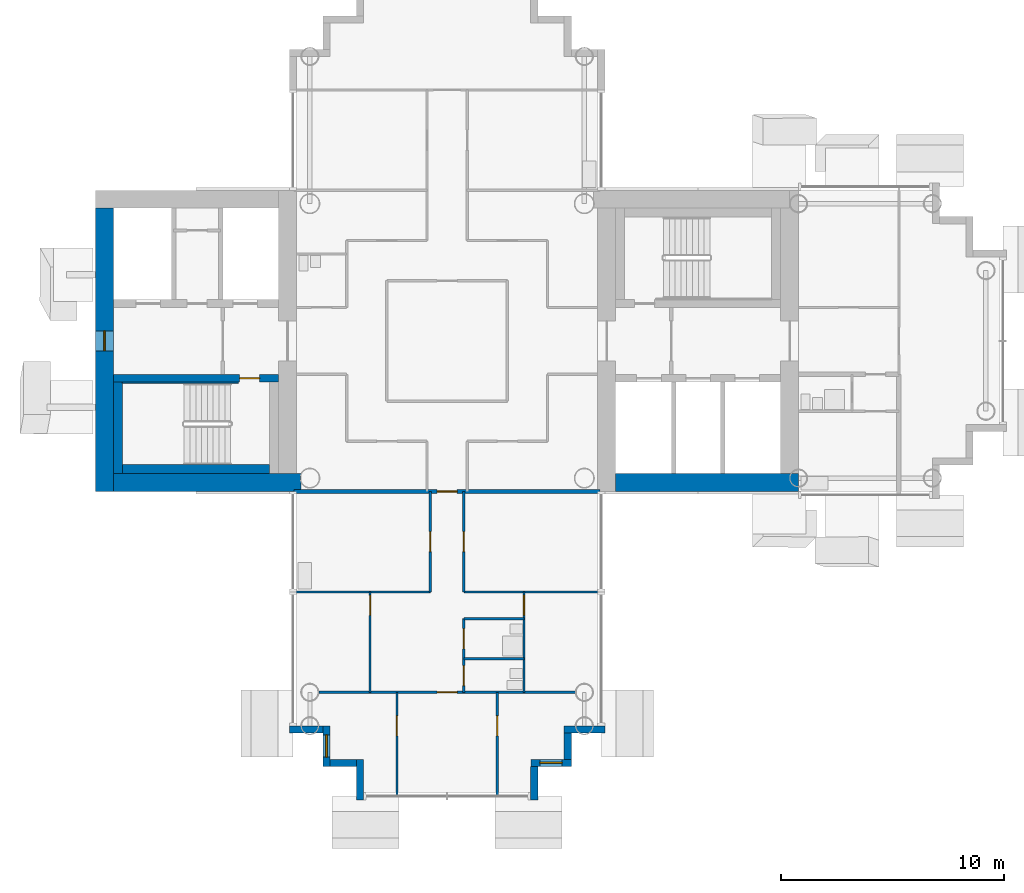
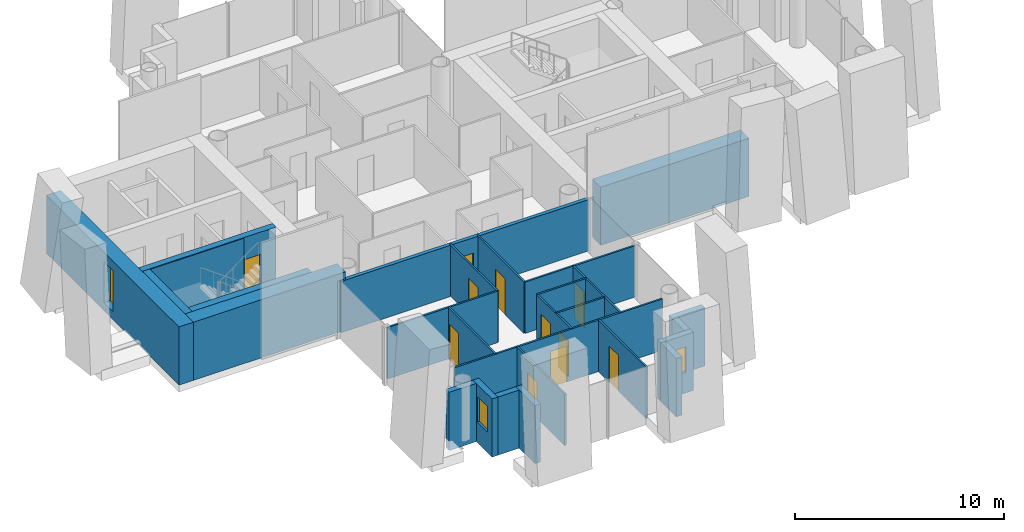
# One storey, part 6 of 19: 28 walls, 11 doors, 3 windows, 14 openings.
"""IFC4 building model written with IfcOpenShell, lengths in metres."""

from ifc_helpers import new_model, si_unit, direction, frame, frame_2d, origin, place, context, subcontext, project, spatial, rectangle, extrude, material, layer, layer_set, type_object, element, fill, save


model = new_model("IFC4")

# Units and contexts
model_context = context("Model", 3, precision=1e-05, world=origin(), true_north=direction((0.0, 1.0)))
body_context = subcontext(model_context, "Body", "Model", "MODEL_VIEW")
ifc_project = project(units=[si_unit("LENGTHUNIT", "METRE"), si_unit("AREAUNIT", "SQUARE_METRE"), si_unit("VOLUMEUNIT", "CUBIC_METRE"), si_unit("PLANEANGLEUNIT", "RADIAN"), si_unit("MASSUNIT", "GRAM", prefix="KILO")], contexts=[model_context])

# Site, building, storey
site_placement = place(None, origin())
site = spatial("IfcSite", under=ifc_project, at=site_placement, CompositionType="ELEMENT")
building_placement = place(site_placement, origin())
building = spatial("IfcBuilding", under=site, at=building_placement, Name="Ipe Terrace Towers", CompositionType="ELEMENT")
storey_placement = place(building_placement, frame((0.0, 0.0, 137.10009765625)))
storey = spatial("IfcBuildingStorey", under=building, at=storey_placement, Name="L37", CompositionType="ELEMENT", Elevation=137.10009765625)

# Wall
ifc_material_1 = material(Name="Concrete C40/50 with buff precast cladding", Category="concrete")
ifc_layer_1 = layer(ifc_material_1, 0.320068359375)
ifc_layer_set_1 = layer_set([ifc_layer_1], Name="BUFF CLADDING WALL 320")
wall_type_1 = type_object("IfcWallType", Name="BUFF CLADDING WALL 320", PredefinedType="STANDARD", material=ifc_layer_set_1)
wall_1_placement = place(storey_placement, frame((-43.070068359375, -17.409912109375, -0.300048828125), z_axis=(0.0, 0.0, 1.0), x_axis=(1.0, 0.0, 0.0)))
element("IfcWall", 1, at=wall_1_placement, inside=storey, type_object=wall_type_1, Name="T1-W-L37-04a wall", PredefinedType="STANDARD", context=body_context, shape_type="SweptSolid", body=[
    extrude(rectangle(XDim=1.5, YDim=0.320068359375, at=frame_2d((0.75, 0.0))), origin(), (0.0, 0.0, 1.0), 3.39990234375),
])

# Wall, opening, window
wall_2_placement = place(storey_placement, frame((-41.409912109375, -17.25, -0.300048828125), z_axis=(0.0, 0.0, 1.0), x_axis=(0.0, -1.0, 0.0)))
wall_2 = element("IfcWall", 2, at=wall_2_placement, inside=storey, type_object=wall_type_1, Name="T1-W-L37-05a wall", PredefinedType="STANDARD", context=body_context, shape_type="SweptSolid", body=[
    extrude(rectangle(XDim=1.820068359375, YDim=0.320068359375, at=frame_2d((0.91015625, 0.0))), origin(), (0.0, 0.0, 1.0), 3.39990234375),
])
opening_1_placement = place(wall_2_placement, frame((0.409912109375, 0.0, 1.199951171875)))
opening_1 = element("IfcOpeningElement", 3, at=opening_1_placement, cuts=wall_2, Name="Opening T1-W-05-L37-02", PredefinedType="OPENING", context=body_context, shape_type="SweptSolid", body=[
    extrude(rectangle(XDim=1.0, YDim=1.5, at=frame_2d((0.5, 0.75))), frame((0.0, 0.169921875, 0.0), z_axis=(0.0, -1.0, 0.0), x_axis=(1.0, 0.0, 0.0)), (0.0, 0.0, 1.0), 0.340087890625),
])
ifc_material_2 = material(Name="Glass, clear laminated", Category="glass")
window_type_1 = type_object("IfcWindowType", Name="DWELLING WINDOW 1000 x 1500", PartitioningType="SINGLE_PANEL", PredefinedType="WINDOW", material=ifc_material_2)
window_1_placement = place(opening_1_placement, origin())
window_1 = element("IfcWindow", 4, at=window_1_placement, inside=storey, type_object=window_type_1, Name="W-05 window", OverallHeight=1.5, OverallWidth=1.0, PartitioningType="SINGLE_PANEL", PredefinedType="WINDOW", context=body_context, shape_type="SweptSolid", body=[
    extrude(rectangle(XDim=1.0, YDim=1.5, at=frame_2d((0.5, 0.75))), frame((0.0, 0.030029296875, 0.0), z_axis=(0.0, -1.0, 0.0), x_axis=(1.0, 0.0, 0.0)), (0.0, 0.0, 1.0), 0.06005859375),
])
fill(opening_1, window_1)

# Walls
wall_3_placement = place(storey_placement, frame((-41.25, -18.909912109375, -0.300048828125), z_axis=(0.0, 0.0, 1.0), x_axis=(1.0, 0.0, 0.0)))
element("IfcWall", 5, at=wall_3_placement, inside=storey, type_object=wall_type_1, Name="T1-W-L37-06a wall", PredefinedType="STANDARD", context=body_context, shape_type="SweptSolid", body=[
    extrude(rectangle(XDim=1.179931640625, YDim=0.320068359375, at=frame_2d((0.58984375, 0.0))), origin(), (0.0, 0.0, 1.0), 3.39990234375),
])
wall_4_placement = place(storey_placement, frame((-39.909912109375, -18.75, -0.300048828125), z_axis=(0.0, 0.0, 1.0), x_axis=(0.0, -1.0, 0.0)))
element("IfcWall", 6, at=wall_4_placement, inside=storey, type_object=wall_type_1, Name="T1-W-L37-07a wall", PredefinedType="STANDARD", context=body_context, shape_type="SweptSolid", body=[
    extrude(rectangle(XDim=1.820068359375, YDim=0.320068359375, at=frame_2d((0.91015625, 0.0))), origin(), (0.0, 0.0, 1.0), 3.39990234375),
])
wall_5_placement = place(storey_placement, frame((-32.090087890625, -20.570068359375, -0.300048828125), z_axis=(0.0, 0.0, 1.0), x_axis=(0.0, 1.0, 0.0)))
element("IfcWall", 7, at=wall_5_placement, inside=storey, type_object=wall_type_1, Name="T1-W-L37-09a wall", PredefinedType="STANDARD", context=body_context, shape_type="SweptSolid", body=[
    extrude(rectangle(XDim=1.5, YDim=0.320068359375, at=frame_2d((0.75, 0.0))), origin(), (0.0, 0.0, 1.0), 3.39990234375),
])

# Wall, opening, window
wall_6_placement = place(storey_placement, frame((-32.25, -18.909912109375, -0.300048828125), z_axis=(0.0, 0.0, 1.0), x_axis=(1.0, 0.0, 0.0)))
wall_6 = element("IfcWall", 8, at=wall_6_placement, inside=storey, type_object=wall_type_1, Name="T1-W-L37-10a wall", PredefinedType="STANDARD", context=body_context, shape_type="SweptSolid", body=[
    extrude(rectangle(XDim=1.820068359375, YDim=0.320068359375, at=frame_2d((0.91015625, 0.0))), origin(), (0.0, 0.0, 1.0), 3.39990234375),
])
opening_2_placement = place(wall_6_placement, frame((0.409912109375, 0.0, 1.199951171875)))
opening_2 = element("IfcOpeningElement", 9, at=opening_2_placement, cuts=wall_6, Name="Opening T1-W-05-L37-01", PredefinedType="OPENING", context=body_context, shape_type="SweptSolid", body=[
    extrude(rectangle(XDim=1.0, YDim=1.5, at=frame_2d((0.5, 0.75))), frame((0.0, 0.169921875, 0.0), z_axis=(0.0, -1.0, 0.0), x_axis=(1.0, 0.0, 0.0)), (0.0, 0.0, 1.0), 0.340087890625),
])
window_2_placement = place(opening_2_placement, origin())
window_2 = element("IfcWindow", 10, at=window_2_placement, inside=storey, type_object=window_type_1, Name="W-05 window", OverallHeight=1.5, OverallWidth=1.0, PartitioningType="SINGLE_PANEL", PredefinedType="WINDOW", context=body_context, shape_type="SweptSolid", body=[
    extrude(rectangle(XDim=1.0, YDim=1.5, at=frame_2d((0.5, 0.75))), frame((0.0, 0.030029296875, 0.0), z_axis=(0.0, -1.0, 0.0), x_axis=(1.0, 0.0, 0.0)), (0.0, 0.0, 1.0), 0.06005859375),
])
fill(opening_2, window_2)

# Walls
wall_7_placement = place(storey_placement, frame((-30.590087890625, -18.75, -0.300048828125), z_axis=(0.0, 0.0, 1.0), x_axis=(0.0, 1.0, 0.0)))
element("IfcWall", 11, at=wall_7_placement, inside=storey, type_object=wall_type_1, Name="T1-W-L37-11a wall", PredefinedType="STANDARD", context=body_context, shape_type="SweptSolid", body=[
    extrude(rectangle(XDim=1.179931640625, YDim=0.320068359375, at=frame_2d((0.58984375, 0.0))), origin(), (0.0, 0.0, 1.0), 3.39990234375),
])
wall_8_placement = place(storey_placement, frame((-30.75, -17.409912109375, -0.300048828125), z_axis=(0.0, 0.0, 1.0), x_axis=(1.0, 0.0, 0.0)))
element("IfcWall", 12, at=wall_8_placement, inside=storey, type_object=wall_type_1, Name="T1-W-L37-12a wall", PredefinedType="STANDARD", context=body_context, shape_type="SweptSolid", body=[
    extrude(rectangle(XDim=1.820068359375, YDim=0.320068359375, at=frame_2d((0.91015625, 0.0))), origin(), (0.0, 0.0, 1.0), 3.39990234375),
])

# Wall, opening, door
ifc_material_3 = material(Name="Gypsum board partition", Category="plasterboard")
ifc_layer_2 = layer(ifc_material_3, 0.10009765625)
ifc_layer_set_2 = layer_set([ifc_layer_2], Name="Gypsum board partition 100 mm")
wall_type_2 = type_object("IfcWallType", Name="Gypsum board partition 100 mm", PredefinedType="PARTITIONING", material=ifc_layer_set_2)
wall_9_placement = place(storey_placement, frame((-39.449951171875, -15.75, 0.0), z_axis=(0.0, 0.0, 1.0), x_axis=(0.0, 1.0, 0.0)))
wall_9 = element("IfcWall", 13, at=wall_9_placement, inside=storey, type_object=wall_type_2, Name="Gypsum board partition T1 L37 W03", PredefinedType="PARTITIONING", context=body_context, shape_type="SweptSolid", body=[
    extrude(rectangle(XDim=4.5, YDim=0.10009765625, at=frame_2d((2.25, 0.0))), origin(), (0.0, 0.0, 1.0), 3.0),
])
opening_3_placement = place(wall_9_placement, frame((3.449951171875, 0.0, 0.0)))
opening_3 = element("IfcOpeningElement", 14, at=opening_3_placement, cuts=wall_9, Name="Opening T1-Z3A-16", PredefinedType="OPENING", context=body_context, shape_type="SweptSolid", body=[
    extrude(rectangle(XDim=0.89990234375, YDim=2.10009765625, at=frame_2d((0.449951171875, 1.050048828125))), frame((0.0, 0.06005859375, 0.0), z_axis=(0.0, -1.0, 0.0), x_axis=(1.0, 0.0, 0.0)), (0.0, 0.0, 1.0), 0.1201171875),
])
ifc_material_4 = material(Name="Timber door leaf", Category="wood")
door_type_1 = type_object("IfcDoorType", Name="Bedroom door 900 x 2100", OperationType="NOTDEFINED", PredefinedType="DOOR", material=ifc_material_4)
door_1_placement = place(opening_3_placement, origin())
door_1 = element("IfcDoor", 15, at=door_1_placement, inside=storey, type_object=door_type_1, Name="Bedroom door T1-Z3A-16", OperationType="SINGLE_SWING_LEFT", OverallHeight=2.10009765625, OverallWidth=0.89990234375, PredefinedType="DOOR", context=body_context, shape_type="SweptSolid", body=[
    extrude(rectangle(XDim=0.89990234375, YDim=2.10009765625, at=frame_2d((0.449951171875, 1.050048828125))), frame((0.0, 0.02490234375, 0.0), z_axis=(0.0, -1.0, 0.0), x_axis=(1.0, 0.0, 0.0)), (0.0, 0.0, 1.0), 0.050048828125),
])
fill(opening_3, door_1)

wall_10_placement = place(storey_placement, frame((-38.25, -20.35009765625, 0.0), z_axis=(0.0, 0.0, 1.0), x_axis=(0.0, 1.0, 0.0)))
wall_10 = element("IfcWall", 16, at=wall_10_placement, inside=storey, type_object=wall_type_2, Name="Gypsum board partition T1 L37 W05", PredefinedType="PARTITIONING", context=body_context, shape_type="SweptSolid", body=[
    extrude(rectangle(XDim=4.60009765625, YDim=0.10009765625, at=frame_2d((2.300048828125, 0.0))), origin(), (0.0, 0.0, 1.0), 3.0),
])
opening_4_placement = place(wall_10_placement, frame((2.64990234375, 0.0, 0.0)))
opening_4 = element("IfcOpeningElement", 17, at=opening_4_placement, cuts=wall_10, Name="Opening T1-Z3A-19", PredefinedType="OPENING", context=body_context, shape_type="SweptSolid", body=[
    extrude(rectangle(XDim=0.89990234375, YDim=2.10009765625, at=frame_2d((0.449951171875, 1.050048828125))), frame((0.0, 0.06005859375, 0.0), z_axis=(0.0, -1.0, 0.0), x_axis=(1.0, 0.0, 0.0)), (0.0, 0.0, 1.0), 0.1201171875),
])
door_2_placement = place(opening_4_placement, origin())
door_2 = element("IfcDoor", 18, at=door_2_placement, inside=storey, type_object=door_type_1, Name="Bedroom door T1-Z3A-19", OperationType="SINGLE_SWING_LEFT", OverallHeight=2.10009765625, OverallWidth=0.89990234375, PredefinedType="DOOR", context=body_context, shape_type="SweptSolid", body=[
    extrude(rectangle(XDim=0.89990234375, YDim=2.10009765625, at=frame_2d((0.449951171875, 1.050048828125))), frame((0.0, 0.02490234375, 0.0), z_axis=(0.0, -1.0, 0.0), x_axis=(1.0, 0.0, 0.0)), (0.0, 0.0, 1.0), 0.050048828125),
])
fill(opening_4, door_2)

wall_11_placement = place(storey_placement, frame((-36.75, -11.25, 0.0), z_axis=(0.0, 0.0, 1.0), x_axis=(0.0, 1.0, 0.0)))
wall_11 = element("IfcWall", 19, at=wall_11_placement, inside=storey, type_object=wall_type_2, Name="Gypsum board partition T1 L37 W08", PredefinedType="PARTITIONING", context=body_context, shape_type="SweptSolid", body=[
    extrude(rectangle(XDim=4.5, YDim=0.10009765625, at=frame_2d((2.25, 0.0))), origin(), (0.0, 0.0, 1.0), 3.0),
])
opening_5_placement = place(wall_11_placement, frame((1.800048828125, 0.0, 0.0)))
opening_5 = element("IfcOpeningElement", 20, at=opening_5_placement, cuts=wall_11, Name="Opening T1-Z3A-11", PredefinedType="OPENING", context=body_context, shape_type="SweptSolid", body=[
    extrude(rectangle(XDim=0.89990234375, YDim=2.10009765625, at=frame_2d((0.449951171875, 1.050048828125))), frame((0.0, 0.06005859375, 0.0), z_axis=(0.0, -1.0, 0.0), x_axis=(1.0, 0.0, 0.0)), (0.0, 0.0, 1.0), 0.1201171875),
])
ifc_material_5 = material(Name="Timber door leaf", Category="wood")
door_type_2 = type_object("IfcDoorType", Name="Lounge door 900 x 2100", OperationType="NOTDEFINED", PredefinedType="DOOR", material=ifc_material_5)
door_3_placement = place(opening_5_placement, origin())
door_3 = element("IfcDoor", 21, at=door_3_placement, inside=storey, type_object=door_type_2, Name="Lounge door T1-Z3A-11", OperationType="SINGLE_SWING_LEFT", OverallHeight=2.10009765625, OverallWidth=0.89990234375, PredefinedType="DOOR", context=body_context, shape_type="SweptSolid", body=[
    extrude(rectangle(XDim=0.89990234375, YDim=2.10009765625, at=frame_2d((0.449951171875, 1.050048828125))), frame((0.0, 0.02490234375, 0.0), z_axis=(0.0, -1.0, 0.0), x_axis=(1.0, 0.0, 0.0)), (0.0, 0.0, 1.0), 0.050048828125),
])
fill(opening_5, door_3)

# Wall, openings, doors
wall_12_placement = place(storey_placement, frame((-35.25, -15.75, 0.0), z_axis=(0.0, 0.0, 1.0), x_axis=(0.0, 1.0, 0.0)))
wall_12 = element("IfcWall", 22, at=wall_12_placement, inside=storey, type_object=wall_type_2, Name="Gypsum board partition T1 L37 W09", PredefinedType="PARTITIONING", context=body_context, shape_type="SweptSolid", body=[
    extrude(rectangle(XDim=3.300048828125, YDim=0.10009765625, at=frame_2d((1.64990234375, 0.0))), origin(), (0.0, 0.0, 1.0), 3.0),
])
opening_6_placement = place(wall_12_placement, frame((1.949951171875, 0.0, 0.0)))
opening_6 = element("IfcOpeningElement", 23, at=opening_6_placement, cuts=wall_12, Name="Opening T1-Z3A-13", PredefinedType="OPENING", context=body_context, shape_type="SweptSolid", body=[
    extrude(rectangle(XDim=0.89990234375, YDim=2.10009765625, at=frame_2d((0.449951171875, 1.050048828125))), frame((0.0, 0.06005859375, 0.0), z_axis=(0.0, -1.0, 0.0), x_axis=(1.0, 0.0, 0.0)), (0.0, 0.0, 1.0), 0.1201171875),
])
opening_7_placement = place(wall_12_placement, frame((0.300048828125, 0.0, 0.0)))
opening_7 = element("IfcOpeningElement", 24, at=opening_7_placement, cuts=wall_12, Name="Opening T1-Z3A-14", PredefinedType="OPENING", context=body_context, shape_type="SweptSolid", body=[
    extrude(rectangle(XDim=0.89990234375, YDim=2.10009765625, at=frame_2d((0.449951171875, 1.050048828125))), frame((0.0, 0.06005859375, 0.0), z_axis=(0.0, -1.0, 0.0), x_axis=(1.0, 0.0, 0.0)), (0.0, 0.0, 1.0), 0.1201171875),
])
ifc_material_6 = material(Name="Timber door leaf", Category="wood")
door_type_3 = type_object("IfcDoorType", Name="Bathroom door 900 x 2100", OperationType="NOTDEFINED", PredefinedType="DOOR", material=ifc_material_6)
door_4_placement = place(opening_6_placement, origin())
door_4 = element("IfcDoor", 25, at=door_4_placement, inside=storey, type_object=door_type_3, Name="Bathroom door T1-Z3A-13", OperationType="SINGLE_SWING_RIGHT", OverallHeight=2.10009765625, OverallWidth=0.89990234375, PredefinedType="DOOR", context=body_context, shape_type="SweptSolid", body=[
    extrude(rectangle(XDim=0.89990234375, YDim=2.10009765625, at=frame_2d((0.449951171875, 1.050048828125))), frame((0.0, 0.02490234375, 0.0), z_axis=(0.0, -1.0, 0.0), x_axis=(1.0, 0.0, 0.0)), (0.0, 0.0, 1.0), 0.050048828125),
])
fill(opening_6, door_4)
door_5_placement = place(opening_7_placement, origin())
door_5 = element("IfcDoor", 26, at=door_5_placement, inside=storey, type_object=door_type_3, Name="Bathroom door T1-Z3A-14", OperationType="SINGLE_SWING_LEFT", OverallHeight=2.10009765625, OverallWidth=0.89990234375, PredefinedType="DOOR", context=body_context, shape_type="SweptSolid", body=[
    extrude(rectangle(XDim=0.89990234375, YDim=2.10009765625, at=frame_2d((0.449951171875, 1.050048828125))), frame((0.0, 0.02490234375, 0.0), z_axis=(0.0, -1.0, 0.0), x_axis=(1.0, 0.0, 0.0)), (0.0, 0.0, 1.0), 0.050048828125),
])
fill(opening_7, door_5)

# Wall, opening, door
wall_13_placement = place(storey_placement, frame((-35.25, -11.25, 0.0), z_axis=(0.0, 0.0, 1.0), x_axis=(0.0, 1.0, 0.0)))
wall_13 = element("IfcWall", 27, at=wall_13_placement, inside=storey, type_object=wall_type_2, Name="Gypsum board partition T1 L37 W10", PredefinedType="PARTITIONING", context=body_context, shape_type="SweptSolid", body=[
    extrude(rectangle(XDim=4.5, YDim=0.10009765625, at=frame_2d((2.25, 0.0))), origin(), (0.0, 0.0, 1.0), 3.0),
])
opening_8_placement = place(wall_13_placement, frame((1.800048828125, 0.0, 0.0)))
opening_8 = element("IfcOpeningElement", 28, at=opening_8_placement, cuts=wall_13, Name="Opening T1-Z3A-10", PredefinedType="OPENING", context=body_context, shape_type="SweptSolid", body=[
    extrude(rectangle(XDim=0.89990234375, YDim=2.10009765625, at=frame_2d((0.449951171875, 1.050048828125))), frame((0.0, 0.06005859375, 0.0), z_axis=(0.0, -1.0, 0.0), x_axis=(1.0, 0.0, 0.0)), (0.0, 0.0, 1.0), 0.1201171875),
])
door_6_placement = place(opening_8_placement, origin())
door_6 = element("IfcDoor", 29, at=door_6_placement, inside=storey, type_object=door_type_2, Name="Lounge door T1-Z3A-10", OperationType="SINGLE_SWING_RIGHT", OverallHeight=2.10009765625, OverallWidth=0.89990234375, PredefinedType="DOOR", context=body_context, shape_type="SweptSolid", body=[
    extrude(rectangle(XDim=0.89990234375, YDim=2.10009765625, at=frame_2d((0.449951171875, 1.050048828125))), frame((0.0, 0.02490234375, 0.0), z_axis=(0.0, -1.0, 0.0), x_axis=(1.0, 0.0, 0.0)), (0.0, 0.0, 1.0), 0.050048828125),
])
fill(opening_8, door_6)

wall_14_placement = place(storey_placement, frame((-33.75, -20.35009765625, 0.0), z_axis=(0.0, 0.0, 1.0), x_axis=(0.0, 1.0, 0.0)))
wall_14 = element("IfcWall", 30, at=wall_14_placement, inside=storey, type_object=wall_type_2, Name="Gypsum board partition T1 L37 W13", PredefinedType="PARTITIONING", context=body_context, shape_type="SweptSolid", body=[
    extrude(rectangle(XDim=4.60009765625, YDim=0.10009765625, at=frame_2d((2.300048828125, 0.0))), origin(), (0.0, 0.0, 1.0), 3.0),
])
opening_9_placement = place(wall_14_placement, frame((2.64990234375, 0.0, 0.0)))
opening_9 = element("IfcOpeningElement", 31, at=opening_9_placement, cuts=wall_14, Name="Opening T1-Z3A-18", PredefinedType="OPENING", context=body_context, shape_type="SweptSolid", body=[
    extrude(rectangle(XDim=0.89990234375, YDim=2.10009765625, at=frame_2d((0.449951171875, 1.050048828125))), frame((0.0, 0.06005859375, 0.0), z_axis=(0.0, -1.0, 0.0), x_axis=(1.0, 0.0, 0.0)), (0.0, 0.0, 1.0), 0.1201171875),
])
door_7_placement = place(opening_9_placement, origin())
door_7 = element("IfcDoor", 32, at=door_7_placement, inside=storey, type_object=door_type_1, Name="Bedroom door T1-Z3A-18", OperationType="SINGLE_SWING_RIGHT", OverallHeight=2.10009765625, OverallWidth=0.89990234375, PredefinedType="DOOR", context=body_context, shape_type="SweptSolid", body=[
    extrude(rectangle(XDim=0.89990234375, YDim=2.10009765625, at=frame_2d((0.449951171875, 1.050048828125))), frame((0.0, 0.02490234375, 0.0), z_axis=(0.0, -1.0, 0.0), x_axis=(1.0, 0.0, 0.0)), (0.0, 0.0, 1.0), 0.050048828125),
])
fill(opening_9, door_7)

wall_15_placement = place(storey_placement, frame((-32.550048828125, -15.75, 0.0), z_axis=(0.0, 0.0, 1.0), x_axis=(0.0, 1.0, 0.0)))
wall_15 = element("IfcWall", 33, at=wall_15_placement, inside=storey, type_object=wall_type_2, Name="Gypsum board partition T1 L37 W15", PredefinedType="PARTITIONING", context=body_context, shape_type="SweptSolid", body=[
    extrude(rectangle(XDim=4.5, YDim=0.10009765625, at=frame_2d((2.25, 0.0))), origin(), (0.0, 0.0, 1.0), 3.0),
])
opening_10_placement = place(wall_15_placement, frame((3.449951171875, 0.0, 0.0)))
opening_10 = element("IfcOpeningElement", 34, at=opening_10_placement, cuts=wall_15, Name="Opening T1-Z3A-15", PredefinedType="OPENING", context=body_context, shape_type="SweptSolid", body=[
    extrude(rectangle(XDim=0.89990234375, YDim=2.10009765625, at=frame_2d((0.449951171875, 1.050048828125))), frame((0.0, 0.06005859375, 0.0), z_axis=(0.0, -1.0, 0.0), x_axis=(1.0, 0.0, 0.0)), (0.0, 0.0, 1.0), 0.1201171875),
])
door_8_placement = place(opening_10_placement, origin())
door_8 = element("IfcDoor", 35, at=door_8_placement, inside=storey, type_object=door_type_1, Name="Bedroom door T1-Z3A-15", OperationType="SINGLE_SWING_RIGHT", OverallHeight=2.10009765625, OverallWidth=0.89990234375, PredefinedType="DOOR", context=body_context, shape_type="SweptSolid", body=[
    extrude(rectangle(XDim=0.89990234375, YDim=2.10009765625, at=frame_2d((0.449951171875, 1.050048828125))), frame((0.0, 0.02490234375, 0.0), z_axis=(0.0, -1.0, 0.0), x_axis=(1.0, 0.0, 0.0)), (0.0, 0.0, 1.0), 0.050048828125),
])
fill(opening_10, door_8)

wall_16_placement = place(storey_placement, frame((-41.75, -15.75, 0.0), z_axis=(0.0, 0.0, 1.0), x_axis=(1.0, 0.0, 0.0)))
wall_16 = element("IfcWall", 36, at=wall_16_placement, inside=storey, type_object=wall_type_2, Name="Gypsum board partition T1 L37 W21", PredefinedType="PARTITIONING", context=body_context, shape_type="SweptSolid", body=[
    extrude(rectangle(XDim=11.5, YDim=0.10009765625, at=frame_2d((5.75, 0.0))), origin(), (0.0, 0.0, 1.0), 3.0),
])
opening_11_placement = place(wall_16_placement, frame((5.300048828125, 0.0, 0.0)))
opening_11 = element("IfcOpeningElement", 37, at=opening_11_placement, cuts=wall_16, Name="Opening T1-Z3A-17", PredefinedType="OPENING", context=body_context, shape_type="SweptSolid", body=[
    extrude(rectangle(XDim=0.89990234375, YDim=2.10009765625, at=frame_2d((0.449951171875, 1.050048828125))), frame((0.0, 0.06005859375, 0.0), z_axis=(0.0, -1.0, 0.0), x_axis=(1.0, 0.0, 0.0)), (0.0, 0.0, 1.0), 0.1201171875),
])
door_9_placement = place(opening_11_placement, origin())
door_9 = element("IfcDoor", 38, at=door_9_placement, inside=storey, type_object=door_type_2, Name="Lounge door T1-Z3A-17", OperationType="SINGLE_SWING_RIGHT", OverallHeight=2.10009765625, OverallWidth=0.89990234375, PredefinedType="DOOR", context=body_context, shape_type="SweptSolid", body=[
    extrude(rectangle(XDim=0.89990234375, YDim=2.10009765625, at=frame_2d((0.449951171875, 1.050048828125))), frame((0.0, 0.02490234375, 0.0), z_axis=(0.0, -1.0, 0.0), x_axis=(1.0, 0.0, 0.0)), (0.0, 0.0, 1.0), 0.050048828125),
])
fill(opening_11, door_9)

# Walls
for number, where, z_axis, x_axis, name in (
    (39, (-35.25, -14.25, 0.0), (0.0, 0.0, 1.0), (1.0, 0.0, 0.0), "Gypsum board partition T1 L37 W22"),
    (40, (-35.25, -12.449951171875, 0.0), (0.0, 0.0, 1.0), (1.0, 0.0, 0.0), "Gypsum board partition T1 L37 W23"),
):
    element("IfcWall", number, at=place(storey_placement, frame(where, z_axis=z_axis, x_axis=x_axis)), inside=storey, type_object=wall_type_2, Name=name, PredefinedType="PARTITIONING", context=body_context, shape_type="SweptSolid", body=[
        extrude(rectangle(XDim=2.699951171875, YDim=0.10009765625, at=frame_2d((1.35009765625, 0.0))), origin(), (0.0, 0.0, 1.0), 3.0),
    ])
for number, where, z_axis, x_axis, name in (
    (41, (-42.85009765625, -11.25, 0.0), (0.0, 0.0, 1.0), (1.0, 0.0, 0.0), "Gypsum board partition T1 L37 W24"),
    (42, (-35.25, -11.25, 0.0), (0.0, 0.0, 1.0), (1.0, 0.0, 0.0), "Gypsum board partition T1 L37 W25"),
):
    element("IfcWall", number, at=place(storey_placement, frame(where, z_axis=z_axis, x_axis=x_axis)), inside=storey, type_object=wall_type_2, Name=name, PredefinedType="PARTITIONING", context=body_context, shape_type="SweptSolid", body=[
        extrude(rectangle(XDim=6.10009765625, YDim=0.10009765625, at=frame_2d((3.050048828125, 0.0))), origin(), (0.0, 0.0, 1.0), 3.0),
    ])

# Wall, opening, door
ifc_material_7 = material(Name="Gypsum board party wall", Category="plasterboard")
ifc_layer_3 = layer(ifc_material_7, 0.199951171875)
ifc_layer_set_3 = layer_set([ifc_layer_3], Name="Gypsum board party wall 200 mm")
wall_type_3 = type_object("IfcWallType", Name="Gypsum board party wall 200 mm", PredefinedType="SOLIDWALL", material=ifc_layer_set_3)
wall_17_placement = place(storey_placement, frame((-42.85009765625, -6.75, 0.0), z_axis=(0.0, 0.0, 1.0), x_axis=(1.0, 0.0, 0.0)))
wall_17 = element("IfcWall", 43, at=wall_17_placement, inside=storey, type_object=wall_type_3, Name="Gypsum board party wall T1 L37 W26", PredefinedType="SOLIDWALL", context=body_context, shape_type="SweptSolid", body=[
    extrude(rectangle(XDim=13.7001953125, YDim=0.199951171875, at=frame_2d((6.85009765625, 0.0))), origin(), (0.0, 0.0, 1.0), 3.0),
])
opening_12_placement = place(wall_17_placement, frame((6.39990234375, 0.0, 0.0)))
opening_12 = element("IfcOpeningElement", 44, at=opening_12_placement, cuts=wall_17, Name="Opening T1-Z3A-12", PredefinedType="OPENING", context=body_context, shape_type="SweptSolid", body=[
    extrude(rectangle(XDim=0.89990234375, YDim=2.10009765625, at=frame_2d((0.449951171875, 1.050048828125))), frame((0.0, 0.10986328125, 0.0), z_axis=(0.0, -1.0, 0.0), x_axis=(1.0, 0.0, 0.0)), (0.0, 0.0, 1.0), 0.219970703125),
])
ifc_material_8 = material(Name="Fire-rated timber door leaf", Category="wood")
door_type_4 = type_object("IfcDoorType", Name="Flat entrance door 900 x 2100 FD30S", OperationType="NOTDEFINED", PredefinedType="DOOR", material=ifc_material_8)
door_10_placement = place(opening_12_placement, origin())
door_10 = element("IfcDoor", 45, at=door_10_placement, inside=storey, type_object=door_type_4, Name="Flat entrance door T1-Z3A-12", OperationType="SINGLE_SWING_RIGHT", OverallHeight=2.10009765625, OverallWidth=0.89990234375, PredefinedType="DOOR", context=body_context, shape_type="SweptSolid", body=[
    extrude(rectangle(XDim=0.89990234375, YDim=2.10009765625, at=frame_2d((0.449951171875, 1.050048828125))), frame((0.0, 0.02490234375, 0.0), z_axis=(0.0, -1.0, 0.0), x_axis=(1.0, 0.0, 0.0)), (0.0, 0.0, 1.0), 0.050048828125),
])
fill(opening_12, door_10)

ifc_material_9 = material(Name="Concrete C50/60", Category="concrete")
ifc_layer_4 = layer(ifc_material_9, 0.35009765625)
ifc_layer_set_4 = layer_set([ifc_layer_4], Name="RW350 CORE SPINE WALL 350 C50-60")
wall_type_4 = type_object("IfcWallType", Name="RW350 CORE SPINE WALL 350 C50-60", PredefinedType="SHEAR", material=ifc_layer_set_4)
wall_18_placement = place(storey_placement, frame((-50.949951171875, -1.675048828125, 0.0), z_axis=(0.0, 0.0, 1.0), x_axis=(1.0, 0.0, 0.0)))
wall_18 = element("IfcWall", 46, at=wall_18_placement, inside=storey, type_object=wall_type_4, Name="Core spine wall T1-C2-Z3-SW1", PredefinedType="SHEAR", context=body_context, shape_type="SweptSolid", body=[
    extrude(rectangle(XDim=7.39990234375, YDim=0.35009765625, at=frame_2d((3.699951171875, 0.0))), origin(), (0.0, 0.0, 1.0), 3.39990234375),
])
opening_13_placement = place(wall_18_placement, frame((5.64990234375, 0.0, 0.0)))
opening_13 = element("IfcOpeningElement", 47, at=opening_13_placement, cuts=wall_18, Name="Opening T1C2-SD", PredefinedType="OPENING", context=body_context, shape_type="SweptSolid", body=[
    extrude(rectangle(XDim=0.89990234375, YDim=2.10009765625, at=frame_2d((0.449951171875, 1.050048828125))), frame((0.0, 0.18505859375, 0.0), z_axis=(0.0, -1.0, 0.0), x_axis=(1.0, 0.0, 0.0)), (0.0, 0.0, 1.0), 0.3701171875),
])
ifc_material_10 = material(Name="Fire-rated timber door leaf", Category="wood")
door_type_5 = type_object("IfcDoorType", Name="Stair door 900 x 2100 FD60", OperationType="NOTDEFINED", PredefinedType="DOOR", material=ifc_material_10)
door_11_placement = place(opening_13_placement, origin())
door_11 = element("IfcDoor", 48, at=door_11_placement, inside=storey, type_object=door_type_5, Name="Stair door T1C2-SD", OperationType="SINGLE_SWING_RIGHT", OverallHeight=2.10009765625, OverallWidth=0.89990234375, PredefinedType="DOOR", context=body_context, shape_type="SweptSolid", body=[
    extrude(rectangle(XDim=0.89990234375, YDim=2.10009765625, at=frame_2d((0.449951171875, 1.050048828125))), frame((0.0, 0.02490234375, 0.0), z_axis=(0.0, -1.0, 0.0), x_axis=(1.0, 0.0, 0.0)), (0.0, 0.0, 1.0), 0.050048828125),
])
fill(opening_13, door_11)

# Walls
ifc_material_11 = material(Name="Concrete C50/60", Category="concrete")
ifc_layer_5 = layer(ifc_material_11, 0.39990234375)
ifc_layer_set_5 = layer_set([ifc_layer_5], Name="RW400 CORE INFILL WALL 400 C50-60")
wall_type_5 = type_object("IfcWallType", Name="RW400 CORE INFILL WALL 400 C50-60", PredefinedType="SHEAR", material=ifc_layer_set_5)
wall_19_placement = place(storey_placement, frame((-50.75, -1.85009765625, 0.0), z_axis=(0.0, 0.0, 1.0), x_axis=(0.0, -1.0, 0.0)))
element("IfcWall", 49, at=wall_19_placement, inside=storey, type_object=wall_type_5, Name="Core infill wall T1-C2-far", PredefinedType="SHEAR", context=body_context, shape_type="SweptSolid", body=[
    extrude(rectangle(XDim=4.099853515625, YDim=0.39990234375, at=frame_2d((2.0498046875, 0.0))), origin(), (0.0, 0.0, 1.0), 3.39990234375),
])
wall_20_placement = place(storey_placement, frame((-43.949951171875, -5.75, 0.0), z_axis=(0.0, 0.0, 1.0), x_axis=(-1.0, 0.0, 0.0)))
element("IfcWall", 50, at=wall_20_placement, inside=storey, type_object=wall_type_5, Name="Core infill wall T1-C2-back", PredefinedType="SHEAR", context=body_context, shape_type="SweptSolid", body=[
    extrude(rectangle(XDim=6.60009765625, YDim=0.39990234375, at=frame_2d((3.300048828125, 0.0))), origin(), (0.0, 0.0, 1.0), 3.39990234375),
])
ifc_material_12 = material(Name="Concrete C50/60", Category="concrete")
ifc_layer_6 = layer(ifc_material_12, 0.050048828125)
ifc_layer_set_6 = layer_set([ifc_layer_6], Name="RW50 CORE INFILL WALL 50 C50-60")
wall_type_6 = type_object("IfcWallType", Name="RW50 CORE INFILL WALL 50 C50-60", PredefinedType="SHEAR", material=ifc_layer_set_6)
wall_21_placement = place(storey_placement, frame((-45.35009765625, -1.875, 0.0), z_axis=(0.0, 0.0, 1.0), x_axis=(-1.0, 0.0, 0.0)))
element("IfcWall", 51, at=wall_21_placement, inside=storey, type_object=wall_type_6, Name="Core infill wall T1-C2-spine-b", PredefinedType="SHEAR", context=body_context, shape_type="SweptSolid", body=[
    extrude(rectangle(XDim=5.199951171875, YDim=0.050048828125, at=frame_2d((2.60009765625, 0.0))), origin(), (0.0, 0.0, 1.0), 3.39990234375),
])
ifc_material_13 = material(Name="Concrete C50/60", Category="concrete")
ifc_layer_7 = layer(ifc_material_13, 0.800048828125)
ifc_layer_set_7 = layer_set([ifc_layer_7], Name="RW800 CORE WALL 800 C50-60")
wall_type_7 = type_object("IfcWallType", Name="RW800 CORE WALL 800 C50-60", PredefinedType="SHEAR", material=ifc_layer_set_7)
wall_22_placement = place(storey_placement, frame((-28.449951171875, -6.35009765625, 0.0), z_axis=(0.0, 0.0, 1.0), x_axis=(1.0, 0.0, 0.0)))
element("IfcWall", 52, at=wall_22_placement, inside=storey, type_object=wall_type_7, Name="Core wall T1-C1-Z3-W01", PredefinedType="SHEAR", context=body_context, shape_type="SweptSolid", body=[
    extrude(rectangle(XDim=8.199951171875, YDim=0.800048828125, at=frame_2d((4.10009765625, 0.0))), origin(), (0.0, 0.0, 1.0), 3.39990234375),
])
wall_23_placement = place(storey_placement, frame((-50.949951171875, -6.35009765625, 0.0), z_axis=(0.0, 0.0, 1.0), x_axis=(1.0, 0.0, 0.0)))
element("IfcWall", 53, at=wall_23_placement, inside=storey, type_object=wall_type_7, Name="Core wall T1-C2-Z3-W01", PredefinedType="SHEAR", context=body_context, shape_type="SweptSolid", body=[
    extrude(rectangle(XDim=8.39794921875, YDim=0.800048828125, at=frame_2d((4.198974609375, 0.0))), origin(), (0.0, 0.0, 1.0), 3.39990234375),
])

# Wall, opening, window
wall_24_placement = place(storey_placement, frame((-51.35009765625, 5.949951171875, 0.0), z_axis=(0.0, 0.0, 1.0), x_axis=(0.0, -1.0, 0.0)))
wall_24 = element("IfcWall", 54, at=wall_24_placement, inside=storey, type_object=wall_type_7, Name="Core wall T1-C2-Z3-W04", PredefinedType="SHEAR", context=body_context, shape_type="SweptSolid", body=[
    extrude(rectangle(XDim=12.699951171875, YDim=0.800048828125, at=frame_2d((6.35009765625, 0.0))), origin(), (0.0, 0.0, 1.0), 3.39990234375),
])
opening_14_placement = place(wall_24_placement, frame((5.5, 0.0, 0.449951171875)))
opening_14 = element("IfcOpeningElement", 55, at=opening_14_placement, cuts=wall_24, Name="Opening T1-C2-W-01-L37", PredefinedType="OPENING", context=body_context, shape_type="SweptSolid", body=[
    extrude(rectangle(XDim=0.89990234375, YDim=2.39990234375, at=frame_2d((0.449951171875, 1.199951171875))), frame((0.0, 0.41015625, 0.0), z_axis=(0.0, -1.0, 0.0), x_axis=(1.0, 0.0, 0.0)), (0.0, 0.0, 1.0), 0.820068359375),
])
ifc_material_14 = material(Name="Fire-resistant glazing EI 60", Category="glass")
window_type_2 = type_object("IfcWindowType", Name="CORRIDOR END SLOT WINDOW 900 x 2400 EI 60", PartitioningType="SINGLE_PANEL", PredefinedType="WINDOW", material=ifc_material_14)
window_3_placement = place(opening_14_placement, origin())
window_3 = element("IfcWindow", 56, at=window_3_placement, inside=storey, type_object=window_type_2, Name="W-01 window", OverallHeight=2.39990234375, OverallWidth=0.89990234375, PartitioningType="SINGLE_PANEL", PredefinedType="WINDOW", context=body_context, shape_type="SweptSolid", body=[
    extrude(rectangle(XDim=0.89990234375, YDim=2.39990234375, at=frame_2d((0.449951171875, 1.199951171875))), frame((0.0, 0.030029296875, 0.0), z_axis=(0.0, -1.0, 0.0), x_axis=(1.0, 0.0, 0.0)), (0.0, 0.0, 1.0), 0.06005859375),
])
fill(opening_14, window_3)

save(model, "model.ifc")
